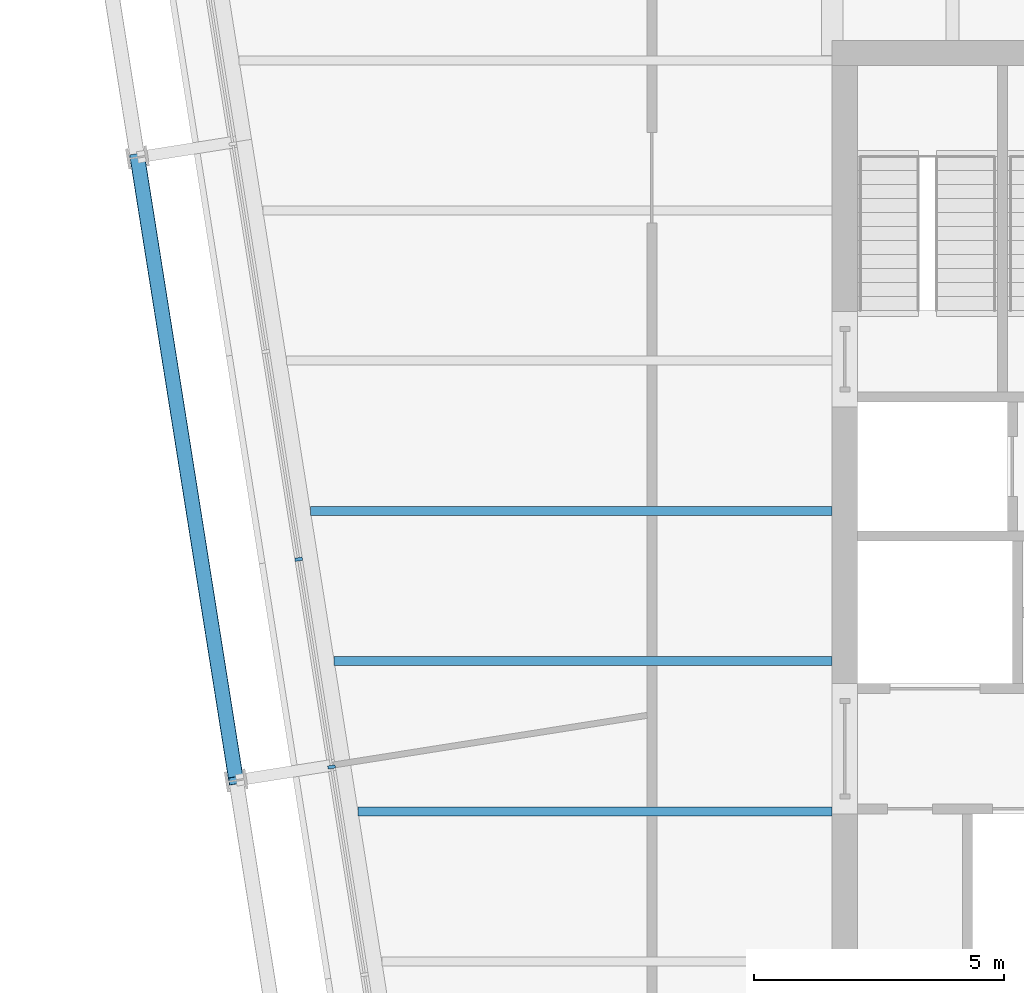
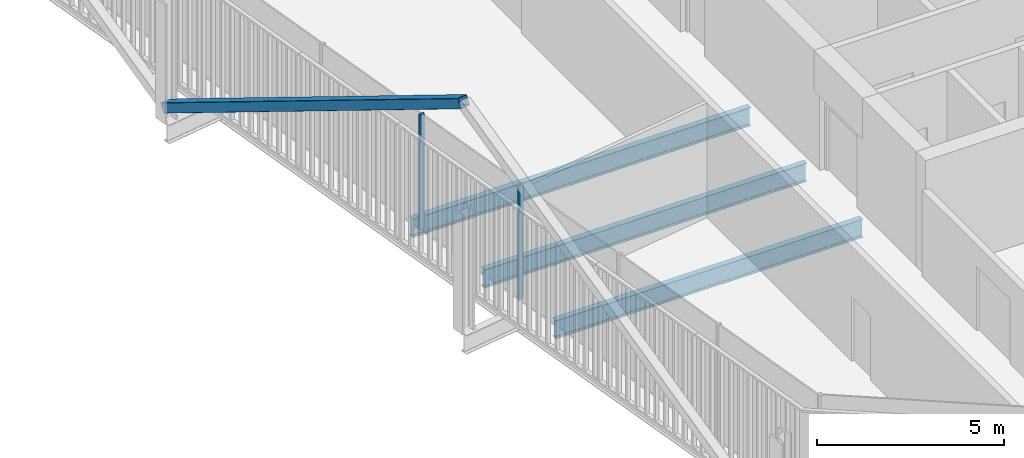
# One storey, part 5 of 21: 3 beams, 3 members, 1 element without a shape of its own.
"""IFC4 building model written with IfcOpenShell, lengths in metres."""

from ifc_helpers import new_model, si_unit, direction, frame, origin, origin_2d, place, context, subcontext, project, spatial, rectangle, hollow_rectangle, i_section, extrude, material, layer, layer_set, material_profile, profile_set, type_object, element, aggregate, save


model = new_model("IFC4")

# Units and contexts
model_context = context("Model", 3, precision=1e-05, world=origin(), true_north=direction((0.0, 1.0)))
body_context = subcontext(model_context, "Body", "Model", "MODEL_VIEW")
ifc_project = project(units=[si_unit("LENGTHUNIT", "METRE"), si_unit("AREAUNIT", "SQUARE_METRE"), si_unit("VOLUMEUNIT", "CUBIC_METRE"), si_unit("PLANEANGLEUNIT", "RADIAN"), si_unit("MASSUNIT", "GRAM", prefix="KILO")], contexts=[model_context])

# Site, building, storey
site_placement = place(None, origin())
site = spatial("IfcSite", under=ifc_project, at=site_placement, CompositionType="ELEMENT")
building_placement = place(site_placement, origin())
building = spatial("IfcBuilding", under=site, at=building_placement, Name="Millrace Tower", CompositionType="ELEMENT")
storey_placement = place(building_placement, frame((0.0, 0.0, 255.199951171875)))
storey = spatial("IfcBuildingStorey", under=building, at=storey_placement, Name="L58", CompositionType="ELEMENT", Elevation=255.199951171875)

# Curtain wall, members
ifc_material_1 = material(Name="Aluminium and glass", Category="aluminium")
ifc_layer = layer(ifc_material_1, 0.14990234375)
ifc_layer_set = layer_set([ifc_layer], Name="Aluminium and glass")
curtain_wall_type = type_object("IfcCurtainWallType", Name="CW-1 office vision curtain wall", PredefinedType="NOTDEFINED", material=ifc_layer_set)
curtain_wall_placement = place(storey_placement, origin())
curtain_wall = element("IfcCurtainWall", 1, at=curtain_wall_placement, inside=storey, type_object=curtain_wall_type, Name="Curtain wall D-F08 L58", PredefinedType="NOTDEFINED")
ifc_material_2 = material(Name="Aluminium", Category="aluminium")
ifc_material_profile_1 = material_profile(ifc_material_2, rectangle(XDim=0.06494140625, YDim=0.14990234375, at=origin_2d()))
ifc_profile_set_1 = profile_set([ifc_material_profile_1], Name="Aluminium")
member_type_1 = type_object("IfcMemberType", Name="CW-1 office vision curtain wall mullion", PredefinedType="MULLION", material=ifc_profile_set_1)
member_1_placement = place(storey_placement, frame((-25.057373046875, -0.966064453125, 0.14013671875), z_axis=(0.0, 0.0, 1.0), x_axis=(0.156434471884, -0.987688339511, 0.0)))
member_1 = element("IfcMember", 2, at=member_1_placement, type_object=member_type_1, Name="CW1 mullion D-F08.6", PredefinedType="MULLION", context=body_context, shape_type="SweptSolid", body=[
    extrude(rectangle(XDim=0.06494140625, YDim=0.14990234375, at=origin_2d()), origin(), (0.0, 0.0, 1.0), 3.760009765625),
])
member_2_placement = place(storey_placement, frame((-24.400390625, -5.1142578125, 0.14013671875), z_axis=(0.0, 0.0, 1.0), x_axis=(0.156434471884, -0.987688339511, 0.0)))
member_2 = element("IfcMember", 3, at=member_2_placement, type_object=member_type_1, Name="CW1 mullion D-F08.7", PredefinedType="MULLION", context=body_context, shape_type="SweptSolid", body=[
    extrude(rectangle(XDim=0.06494140625, YDim=0.14990234375, at=origin_2d()), origin(), (0.0, 0.0, 1.0), 3.760009765625),
])
aggregate(curtain_wall, [member_1, member_2])

# Member
ifc_material_3 = material(Name="Steel ASTM A500 Grade C", Category="steel")
ifc_material_profile_2 = material_profile(ifc_material_3, hollow_rectangle(XDim=0.3046875, YDim=0.3046875, WallThickness=0.009521484375, InnerFilletRadius=0.004638671875, OuterFilletRadius=0.014404296875, at=origin_2d()))
ifc_profile_set_2 = profile_set([ifc_material_profile_2], Name="Steel ASTM A500 Grade C")
member_type_2 = type_object("IfcMemberType", Name="Exoskeleton brace HSS12x12x3/8", PredefinedType="BRACE", material=ifc_profile_set_2)
member_3_placement = place(storey_placement, frame((-28.27783203125, 7.0615234375, 0.400146484375), z_axis=(0.136756701563, -0.863393126764, 0.485643813132), x_axis=(0.987686809102, 0.1564441342, 0.0)))
element("IfcMember", 4, at=member_3_placement, inside=storey, type_object=member_type_2, Name="BRC-D-L58-15", PredefinedType="BRACE", context=body_context, shape_type="SweptSolid", body=[
    extrude(hollow_rectangle(XDim=0.3046875, YDim=0.3046875, WallThickness=0.009521484375, InnerFilletRadius=0.004638671875, OuterFilletRadius=0.014404296875, at=origin_2d()), origin(), (0.0, 0.0, 1.0), 14.413818359375),
])

# Beams
ifc_material_4 = material(Name="Steel ASTM A992 Grade 50", Category="steel")
ifc_material_profile_3 = material_profile(ifc_material_4, i_section(OverallWidth=0.177978515625, OverallDepth=0.599365234375, WebThickness=0.010009765625, FlangeThickness=0.012939453125, FilletRadius=0.012939453125, at=origin_2d()))
ifc_profile_set_3 = profile_set([ifc_material_profile_3], Name="Steel ASTM A992 Grade 50")
beam_type_1 = type_object("IfcBeamType", Name="Floor beam W24x55", PredefinedType="JOIST", material=ifc_profile_set_3)
beam_1_placement = place(storey_placement, frame((-23.872802734375, -6.0, -0.459716796875), z_axis=(1.0, 0.0, 0.0), x_axis=(0.0, 1.0, 0.0)))
element("IfcBeam", 5, at=beam_1_placement, inside=storey, type_object=beam_type_1, Name="BM-D-L58-S1-S009", PredefinedType="JOIST", context=body_context, shape_type="SweptSolid", body=[
    extrude(i_section(OverallWidth=0.177978515625, OverallDepth=0.599365234375, WebThickness=0.010009765625, FlangeThickness=0.012939453125, FilletRadius=0.012939453125, at=origin_2d()), origin(), (0.0, 0.0, 1.0), 9.472900390625),
])
beam_2_placement = place(storey_placement, frame((-24.34814453125, -3.0, -0.459716796875), z_axis=(1.0, 0.0, 0.0), x_axis=(0.0, 1.0, 0.0)))
element("IfcBeam", 6, at=beam_2_placement, inside=storey, type_object=beam_type_1, Name="BM-D-L58-S1-S012", PredefinedType="JOIST", context=body_context, shape_type="SweptSolid", body=[
    extrude(i_section(OverallWidth=0.177978515625, OverallDepth=0.599365234375, WebThickness=0.010009765625, FlangeThickness=0.012939453125, FilletRadius=0.012939453125, at=origin_2d()), origin(), (0.0, 0.0, 1.0), 9.9482421875),
])
ifc_material_5 = material(Name="Steel ASTM A992 Grade 50", Category="steel")
ifc_material_profile_4 = material_profile(ifc_material_5, i_section(OverallWidth=0.1787109375, OverallDepth=0.60205078125, WebThickness=0.010986328125, FlangeThickness=0.014892578125, FilletRadius=0.0126953125, at=origin_2d()))
ifc_profile_set_4 = profile_set([ifc_material_profile_4], Name="Steel ASTM A992 Grade 50")
beam_type_2 = type_object("IfcBeamType", Name="Floor beam W24x62", PredefinedType="JOIST", material=ifc_profile_set_4)
beam_3_placement = place(storey_placement, frame((-24.8232421875, 0.0, -0.4609375), z_axis=(1.0, 0.0, 0.0), x_axis=(0.0, 1.0, 0.0)))
element("IfcBeam", 7, at=beam_3_placement, inside=storey, type_object=beam_type_2, Name="BM-D-L58-S1-S015", PredefinedType="JOIST", context=body_context, shape_type="SweptSolid", body=[
    extrude(i_section(OverallWidth=0.1787109375, OverallDepth=0.60205078125, WebThickness=0.010986328125, FlangeThickness=0.014892578125, FilletRadius=0.0126953125, at=origin_2d()), origin(), (0.0, 0.0, 1.0), 10.42333984375),
])

save(model, "model.ifc")
